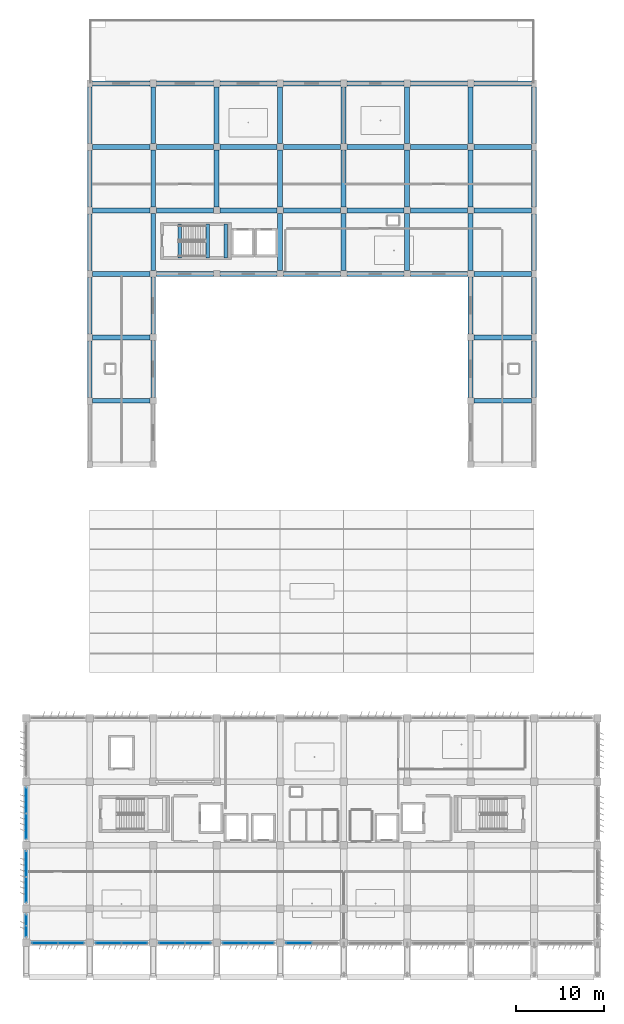
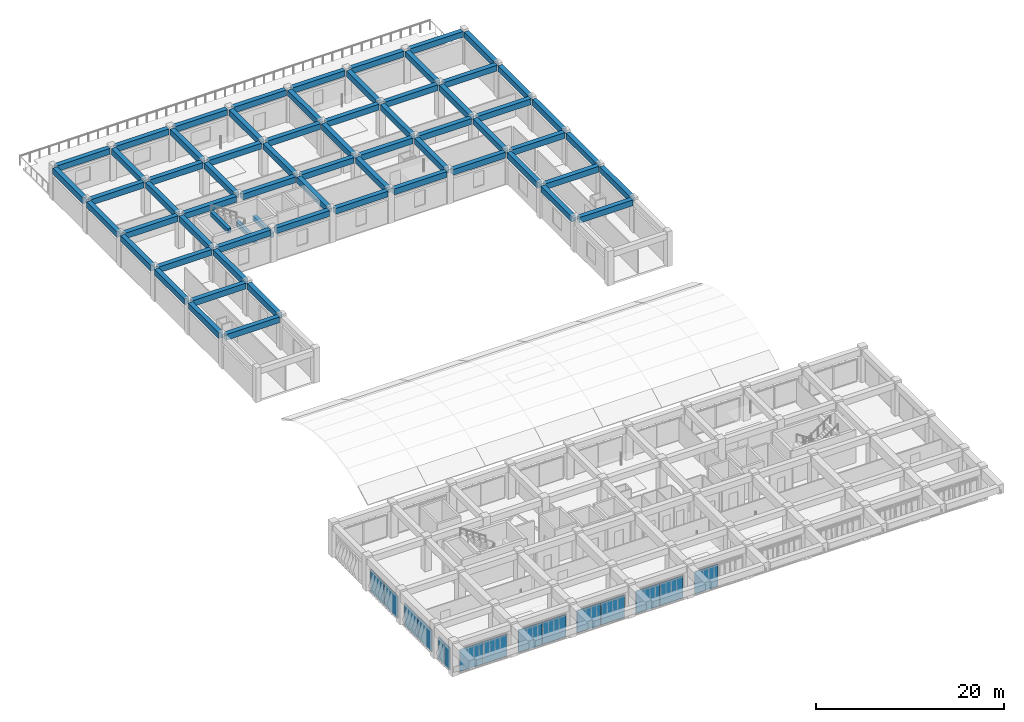
# One storey, part 31 of 56: 66 beams, 15 plates, 8 elements without a shape of their own.
"""IFC4 building model written with IfcOpenShell, lengths in metres."""

from ifc_helpers import new_model, si_unit, direction, frame, origin, origin_2d, place, context, subcontext, project, spatial, rectangle, extrude, material, layer, layer_set, material_profile, profile_set, type_object, element, aggregate, save


model = new_model("IFC4")

# Units and contexts
model_context = context("Model", 3, precision=1e-05, world=origin(), true_north=direction((0.0, 1.0)))
body_context = subcontext(model_context, "Body", "Model", "MODEL_VIEW")
ifc_project = project(units=[si_unit("LENGTHUNIT", "METRE"), si_unit("AREAUNIT", "SQUARE_METRE"), si_unit("VOLUMEUNIT", "CUBIC_METRE"), si_unit("PLANEANGLEUNIT", "RADIAN"), si_unit("MASSUNIT", "GRAM", prefix="KILO")], contexts=[model_context])

# Site, building, storey
site_placement = place(None, origin())
site = spatial("IfcSite", under=ifc_project, at=site_placement, CompositionType="ELEMENT")
building_placement = place(site_placement, origin())
building = spatial("IfcBuilding", under=site, at=building_placement, Name="Kazehaya Institute of Natural Sciences", CompositionType="ELEMENT")
storey_placement = place(building_placement, frame((0.0, 0.0, 24.300048828125)))
storey = spatial("IfcBuildingStorey", under=building, at=storey_placement, Name="L05", CompositionType="ELEMENT", Elevation=24.300048828125)

# Beams
ifc_material_1 = material(Name="Concrete Fc36", Category="concrete")
ifc_material_profile_1 = material_profile(ifc_material_1, rectangle(XDim=0.39990234375, YDim=0.60009765625, at=origin_2d()), Name="RC-400x600")
ifc_profile_set_1 = profile_set([ifc_material_profile_1], Name="Concrete Fc36")
beam_type_1 = type_object("IfcBeamType", Name="BM-B-400x600", PredefinedType="BEAM", material=ifc_profile_set_1)
for number, where, z_axis, x_axis, name in (
    (1, (72.0, 87.820068359375, 4.199951171875), (0.0, 1.0, 0.0), (-1.0, 0.0, 0.0), "L06 ST-3 stair header trimmer beam"),
    (2, (75.18994140625, 87.820068359375, 1.7900390625), (0.0, 1.0, 0.0), (-1.0, 0.0, 0.0), "L05 ST-3 landing beam 1"),
    (3, (77.25, 87.820068359375, 1.7900390625), (0.0, 1.0, 0.0), (-1.0, 0.0, 0.0), "L05 ST-3 landing beam 2"),
):
    element("IfcBeam", number, at=place(storey_placement, frame(where, z_axis=z_axis, x_axis=x_axis)), inside=storey, type_object=beam_type_1, Name=name, PredefinedType="BEAM", context=body_context, shape_type="SweptSolid", body=[
        extrude(rectangle(XDim=0.39990234375, YDim=0.60009765625, at=origin_2d()), origin(), (0.0, 0.0, 1.0), 3.83984375),
    ])
ifc_material_profile_2 = material_profile(ifc_material_1, rectangle(XDim=0.550048828125, YDim=0.75, at=origin_2d()), Name="RC-550x750")
ifc_profile_set_2 = profile_set([ifc_material_profile_2], Name="Concrete Fc36")
beam_type_2 = type_object("IfcBeamType", Name="BM-G-550x750", PredefinedType="BEAM", material=ifc_profile_set_2)
for number, where, z_axis, x_axis, name in (
    (4, (62.10009765625, 71.60009765625, 3.85498046875), (1.0, 0.0, 0.0), (0.0, 1.0, 0.0), "L05 primary X girder BMX-L05-618-716"),
    (5, (105.375, 71.60009765625, 3.85498046875), (1.0, 0.0, 0.0), (0.0, 1.0, 0.0), "L05 primary X girder BMX-L05-1050-716"),
    (6, (62.10009765625, 78.800048828125, 3.85498046875), (1.0, 0.0, 0.0), (0.0, 1.0, 0.0), "L05 primary X girder BMX-L05-618-788"),
    (7, (105.375, 78.800048828125, 3.85498046875), (1.0, 0.0, 0.0), (0.0, 1.0, 0.0), "L05 primary X girder BMX-L05-1050-788"),
    (8, (62.10009765625, 86.0, 3.85498046875), (1.0, 0.0, 0.0), (0.0, 1.0, 0.0), "L05 primary X girder BMX-L05-618-860"),
):
    element("IfcBeam", number, at=place(storey_placement, frame(where, z_axis=z_axis, x_axis=x_axis)), inside=storey, type_object=beam_type_2, Name=name, PredefinedType="BEAM", context=body_context, shape_type="SweptSolid", body=[
        extrude(rectangle(XDim=0.550048828125, YDim=0.75, at=origin_2d()), origin(), (0.0, 0.0, 1.0), 6.52490234375),
    ])
for number, where, z_axis, x_axis, name in (
    (9, (69.375, 86.0, 3.85498046875), (1.0, 0.0, 0.0), (0.0, 1.0, 0.0), "L05 primary X girder BMX-L05-690-860"),
    (10, (76.574951171875, 86.0, 3.85498046875), (1.0, 0.0, 0.0), (0.0, 1.0, 0.0), "L05 primary X girder BMX-L05-762-860"),
):
    element("IfcBeam", number, at=place(storey_placement, frame(where, z_axis=z_axis, x_axis=x_axis)), inside=storey, type_object=beam_type_2, Name=name, PredefinedType="BEAM", context=body_context, shape_type="SweptSolid", body=[
        extrude(rectangle(XDim=0.550048828125, YDim=0.75, at=origin_2d()), origin(), (0.0, 0.0, 1.0), 6.449951171875),
    ])
beam_1_placement = place(storey_placement, frame((83.77490234375, 86.0, 3.85498046875), z_axis=(1.0, 0.0, 0.0), x_axis=(0.0, 1.0, 0.0)))
element("IfcBeam", 11, at=beam_1_placement, inside=storey, type_object=beam_type_2, Name="L05 primary X girder BMX-L05-834-860", PredefinedType="BEAM", context=body_context, shape_type="SweptSolid", body=[
    extrude(rectangle(XDim=0.550048828125, YDim=0.75, at=origin_2d()), origin(), (0.0, 0.0, 1.0), 6.4501953125),
])
for number, where, z_axis, x_axis, name in (
    (12, (90.97509765625, 86.0, 3.85498046875), (1.0, 0.0, 0.0), (0.0, 1.0, 0.0), "L05 primary X girder BMX-L05-906-860"),
    (13, (98.175048828125, 86.0, 3.85498046875), (1.0, 0.0, 0.0), (0.0, 1.0, 0.0), "L05 primary X girder BMX-L05-978-860"),
):
    element("IfcBeam", number, at=place(storey_placement, frame(where, z_axis=z_axis, x_axis=x_axis)), inside=storey, type_object=beam_type_2, Name=name, PredefinedType="BEAM", context=body_context, shape_type="SweptSolid", body=[
        extrude(rectangle(XDim=0.550048828125, YDim=0.75, at=origin_2d()), origin(), (0.0, 0.0, 1.0), 6.449951171875),
    ])
for number, where, z_axis, x_axis, name in (
    (14, (105.375, 86.0, 3.85498046875), (1.0, 0.0, 0.0), (0.0, 1.0, 0.0), "L05 primary X girder BMX-L05-1050-860"),
    (15, (62.10009765625, 93.199951171875, 3.85498046875), (1.0, 0.0, 0.0), (0.0, 1.0, 0.0), "L05 primary X girder BMX-L05-618-932"),
):
    element("IfcBeam", number, at=place(storey_placement, frame(where, z_axis=z_axis, x_axis=x_axis)), inside=storey, type_object=beam_type_2, Name=name, PredefinedType="BEAM", context=body_context, shape_type="SweptSolid", body=[
        extrude(rectangle(XDim=0.550048828125, YDim=0.75, at=origin_2d()), origin(), (0.0, 0.0, 1.0), 6.52490234375),
    ])
for number, where, z_axis, x_axis, name in (
    (16, (69.375, 93.199951171875, 3.85498046875), (1.0, 0.0, 0.0), (0.0, 1.0, 0.0), "L05 primary X girder BMX-L05-690-932"),
    (17, (76.574951171875, 93.199951171875, 3.85498046875), (1.0, 0.0, 0.0), (0.0, 1.0, 0.0), "L05 primary X girder BMX-L05-762-932"),
):
    element("IfcBeam", number, at=place(storey_placement, frame(where, z_axis=z_axis, x_axis=x_axis)), inside=storey, type_object=beam_type_2, Name=name, PredefinedType="BEAM", context=body_context, shape_type="SweptSolid", body=[
        extrude(rectangle(XDim=0.550048828125, YDim=0.75, at=origin_2d()), origin(), (0.0, 0.0, 1.0), 6.449951171875),
    ])
beam_2_placement = place(storey_placement, frame((83.77490234375, 93.199951171875, 3.85498046875), z_axis=(1.0, 0.0, 0.0), x_axis=(0.0, 1.0, 0.0)))
element("IfcBeam", 18, at=beam_2_placement, inside=storey, type_object=beam_type_2, Name="L05 primary X girder BMX-L05-834-932", PredefinedType="BEAM", context=body_context, shape_type="SweptSolid", body=[
    extrude(rectangle(XDim=0.550048828125, YDim=0.75, at=origin_2d()), origin(), (0.0, 0.0, 1.0), 6.4501953125),
])
for number, where, z_axis, x_axis, name in (
    (19, (90.97509765625, 93.199951171875, 3.85498046875), (1.0, 0.0, 0.0), (0.0, 1.0, 0.0), "L05 primary X girder BMX-L05-906-932"),
    (20, (98.175048828125, 93.199951171875, 3.85498046875), (1.0, 0.0, 0.0), (0.0, 1.0, 0.0), "L05 primary X girder BMX-L05-978-932"),
):
    element("IfcBeam", number, at=place(storey_placement, frame(where, z_axis=z_axis, x_axis=x_axis)), inside=storey, type_object=beam_type_2, Name=name, PredefinedType="BEAM", context=body_context, shape_type="SweptSolid", body=[
        extrude(rectangle(XDim=0.550048828125, YDim=0.75, at=origin_2d()), origin(), (0.0, 0.0, 1.0), 6.449951171875),
    ])
for number, where, z_axis, x_axis, name in (
    (21, (105.375, 93.199951171875, 3.85498046875), (1.0, 0.0, 0.0), (0.0, 1.0, 0.0), "L05 primary X girder BMX-L05-1050-932"),
    (22, (62.10009765625, 100.39990234375, 3.85498046875), (1.0, 0.0, 0.0), (0.0, 1.0, 0.0), "L05 primary X girder BMX-L05-618-1004"),
):
    element("IfcBeam", number, at=place(storey_placement, frame(where, z_axis=z_axis, x_axis=x_axis)), inside=storey, type_object=beam_type_2, Name=name, PredefinedType="BEAM", context=body_context, shape_type="SweptSolid", body=[
        extrude(rectangle(XDim=0.550048828125, YDim=0.75, at=origin_2d()), origin(), (0.0, 0.0, 1.0), 6.52490234375),
    ])
for number, where, z_axis, x_axis, name in (
    (23, (69.375, 100.39990234375, 3.85498046875), (1.0, 0.0, 0.0), (0.0, 1.0, 0.0), "L05 primary X girder BMX-L05-690-1004"),
    (24, (76.574951171875, 100.39990234375, 3.85498046875), (1.0, 0.0, 0.0), (0.0, 1.0, 0.0), "L05 primary X girder BMX-L05-762-1004"),
):
    element("IfcBeam", number, at=place(storey_placement, frame(where, z_axis=z_axis, x_axis=x_axis)), inside=storey, type_object=beam_type_2, Name=name, PredefinedType="BEAM", context=body_context, shape_type="SweptSolid", body=[
        extrude(rectangle(XDim=0.550048828125, YDim=0.75, at=origin_2d()), origin(), (0.0, 0.0, 1.0), 6.449951171875),
    ])
beam_3_placement = place(storey_placement, frame((83.77490234375, 100.39990234375, 3.85498046875), z_axis=(1.0, 0.0, 0.0), x_axis=(0.0, 1.0, 0.0)))
element("IfcBeam", 25, at=beam_3_placement, inside=storey, type_object=beam_type_2, Name="L05 primary X girder BMX-L05-834-1004", PredefinedType="BEAM", context=body_context, shape_type="SweptSolid", body=[
    extrude(rectangle(XDim=0.550048828125, YDim=0.75, at=origin_2d()), origin(), (0.0, 0.0, 1.0), 6.4501953125),
])
for number, where, z_axis, x_axis, name in (
    (26, (90.97509765625, 100.39990234375, 3.85498046875), (1.0, 0.0, 0.0), (0.0, 1.0, 0.0), "L05 primary X girder BMX-L05-906-1004"),
    (27, (98.175048828125, 100.39990234375, 3.85498046875), (1.0, 0.0, 0.0), (0.0, 1.0, 0.0), "L05 primary X girder BMX-L05-978-1004"),
):
    element("IfcBeam", number, at=place(storey_placement, frame(where, z_axis=z_axis, x_axis=x_axis)), inside=storey, type_object=beam_type_2, Name=name, PredefinedType="BEAM", context=body_context, shape_type="SweptSolid", body=[
        extrude(rectangle(XDim=0.550048828125, YDim=0.75, at=origin_2d()), origin(), (0.0, 0.0, 1.0), 6.449951171875),
    ])
for number, where, z_axis, x_axis, name in (
    (28, (105.375, 100.39990234375, 3.85498046875), (1.0, 0.0, 0.0), (0.0, 1.0, 0.0), "L05 primary X girder BMX-L05-1050-1004"),
    (29, (62.10009765625, 107.60009765625, 3.85498046875), (1.0, 0.0, 0.0), (0.0, 1.0, 0.0), "L05 primary X girder BMX-L05-618-1076"),
):
    element("IfcBeam", number, at=place(storey_placement, frame(where, z_axis=z_axis, x_axis=x_axis)), inside=storey, type_object=beam_type_2, Name=name, PredefinedType="BEAM", context=body_context, shape_type="SweptSolid", body=[
        extrude(rectangle(XDim=0.550048828125, YDim=0.75, at=origin_2d()), origin(), (0.0, 0.0, 1.0), 6.52490234375),
    ])
for number, where, z_axis, x_axis, name in (
    (30, (69.375, 107.60009765625, 3.85498046875), (1.0, 0.0, 0.0), (0.0, 1.0, 0.0), "L05 primary X girder BMX-L05-690-1076"),
    (31, (76.574951171875, 107.60009765625, 3.85498046875), (1.0, 0.0, 0.0), (0.0, 1.0, 0.0), "L05 primary X girder BMX-L05-762-1076"),
):
    element("IfcBeam", number, at=place(storey_placement, frame(where, z_axis=z_axis, x_axis=x_axis)), inside=storey, type_object=beam_type_2, Name=name, PredefinedType="BEAM", context=body_context, shape_type="SweptSolid", body=[
        extrude(rectangle(XDim=0.550048828125, YDim=0.75, at=origin_2d()), origin(), (0.0, 0.0, 1.0), 6.449951171875),
    ])
beam_4_placement = place(storey_placement, frame((83.77490234375, 107.60009765625, 3.85498046875), z_axis=(1.0, 0.0, 0.0), x_axis=(0.0, 1.0, 0.0)))
element("IfcBeam", 32, at=beam_4_placement, inside=storey, type_object=beam_type_2, Name="L05 primary X girder BMX-L05-834-1076", PredefinedType="BEAM", context=body_context, shape_type="SweptSolid", body=[
    extrude(rectangle(XDim=0.550048828125, YDim=0.75, at=origin_2d()), origin(), (0.0, 0.0, 1.0), 6.4501953125),
])
for number, where, z_axis, x_axis, name in (
    (33, (90.97509765625, 107.60009765625, 3.85498046875), (1.0, 0.0, 0.0), (0.0, 1.0, 0.0), "L05 primary X girder BMX-L05-906-1076"),
    (34, (98.175048828125, 107.60009765625, 3.85498046875), (1.0, 0.0, 0.0), (0.0, 1.0, 0.0), "L05 primary X girder BMX-L05-978-1076"),
):
    element("IfcBeam", number, at=place(storey_placement, frame(where, z_axis=z_axis, x_axis=x_axis)), inside=storey, type_object=beam_type_2, Name=name, PredefinedType="BEAM", context=body_context, shape_type="SweptSolid", body=[
        extrude(rectangle(XDim=0.550048828125, YDim=0.75, at=origin_2d()), origin(), (0.0, 0.0, 1.0), 6.449951171875),
    ])
beam_5_placement = place(storey_placement, frame((105.375, 107.60009765625, 3.85498046875), z_axis=(1.0, 0.0, 0.0), x_axis=(0.0, 1.0, 0.0)))
element("IfcBeam", 35, at=beam_5_placement, inside=storey, type_object=beam_type_2, Name="L05 primary X girder BMX-L05-1050-1076", PredefinedType="BEAM", context=body_context, shape_type="SweptSolid", body=[
    extrude(rectangle(XDim=0.550048828125, YDim=0.75, at=origin_2d()), origin(), (0.0, 0.0, 1.0), 6.52490234375),
])
beam_6_placement = place(storey_placement, frame((61.800048828125, 72.0, 3.85498046875), z_axis=(0.0, 1.0, 0.0), x_axis=(-1.0, 0.0, 0.0)))
element("IfcBeam", 36, at=beam_6_placement, inside=storey, type_object=beam_type_2, Name="L05 primary Y girder BMY-L05-618-716", PredefinedType="BEAM", context=body_context, shape_type="SweptSolid", body=[
    extrude(rectangle(XDim=0.550048828125, YDim=0.75, at=origin_2d()), origin(), (0.0, 0.0, 1.0), 6.39990234375),
])
for number, where, z_axis, x_axis, name in (
    (37, (61.800048828125, 79.199951171875, 3.85498046875), (0.0, 1.0, 0.0), (-1.0, 0.0, 0.0), "L05 primary Y girder BMY-L05-618-788"),
    (38, (61.800048828125, 86.39990234375, 3.85498046875), (0.0, 1.0, 0.0), (-1.0, 0.0, 0.0), "L05 primary Y girder BMY-L05-618-860"),
):
    element("IfcBeam", number, at=place(storey_placement, frame(where, z_axis=z_axis, x_axis=x_axis)), inside=storey, type_object=beam_type_2, Name=name, PredefinedType="BEAM", context=body_context, shape_type="SweptSolid", body=[
        extrude(rectangle(XDim=0.550048828125, YDim=0.75, at=origin_2d()), origin(), (0.0, 0.0, 1.0), 6.400146484375),
    ])
for number, where, z_axis, x_axis, name in (
    (39, (61.800048828125, 93.60009765625, 3.85498046875), (0.0, 1.0, 0.0), (-1.0, 0.0, 0.0), "L05 primary Y girder BMY-L05-618-932"),
    (40, (61.800048828125, 100.800048828125, 3.85498046875), (0.0, 1.0, 0.0), (-1.0, 0.0, 0.0), "L05 primary Y girder BMY-L05-618-1004"),
):
    element("IfcBeam", number, at=place(storey_placement, frame(where, z_axis=z_axis, x_axis=x_axis)), inside=storey, type_object=beam_type_2, Name=name, PredefinedType="BEAM", context=body_context, shape_type="SweptSolid", body=[
        extrude(rectangle(XDim=0.550048828125, YDim=0.75, at=origin_2d()), origin(), (0.0, 0.0, 1.0), 6.39990234375),
    ])
for number, where, z_axis, x_axis, name in (
    (41, (69.0, 71.97509765625, 3.85498046875), (0.0, 1.0, 0.0), (-1.0, 0.0, 0.0), "L05 primary Y girder BMY-L05-690-716"),
    (42, (69.0, 79.175048828125, 3.85498046875), (0.0, 1.0, 0.0), (-1.0, 0.0, 0.0), "L05 primary Y girder BMY-L05-690-788"),
    (43, (69.0, 86.375, 3.85498046875), (0.0, 1.0, 0.0), (-1.0, 0.0, 0.0), "L05 primary Y girder BMY-L05-690-860"),
    (44, (69.0, 93.574951171875, 3.85498046875), (0.0, 1.0, 0.0), (-1.0, 0.0, 0.0), "L05 primary Y girder BMY-L05-690-932"),
):
    element("IfcBeam", number, at=place(storey_placement, frame(where, z_axis=z_axis, x_axis=x_axis)), inside=storey, type_object=beam_type_2, Name=name, PredefinedType="BEAM", context=body_context, shape_type="SweptSolid", body=[
        extrude(rectangle(XDim=0.550048828125, YDim=0.75, at=origin_2d()), origin(), (0.0, 0.0, 1.0), 6.449951171875),
    ])
beam_7_placement = place(storey_placement, frame((69.0, 100.77490234375, 3.85498046875), z_axis=(0.0, 1.0, 0.0), x_axis=(-1.0, 0.0, 0.0)))
element("IfcBeam", 45, at=beam_7_placement, inside=storey, type_object=beam_type_2, Name="L05 primary Y girder BMY-L05-690-1004", PredefinedType="BEAM", context=body_context, shape_type="SweptSolid", body=[
    extrude(rectangle(XDim=0.550048828125, YDim=0.75, at=origin_2d()), origin(), (0.0, 0.0, 1.0), 6.4501953125),
])
beam_8_placement = place(storey_placement, frame((76.199951171875, 93.574951171875, 3.85498046875), z_axis=(0.0, 1.0, 0.0), x_axis=(-1.0, 0.0, 0.0)))
element("IfcBeam", 46, at=beam_8_placement, inside=storey, type_object=beam_type_2, Name="L05 primary Y girder BMY-L05-762-932", PredefinedType="BEAM", context=body_context, shape_type="SweptSolid", body=[
    extrude(rectangle(XDim=0.550048828125, YDim=0.75, at=origin_2d()), origin(), (0.0, 0.0, 1.0), 6.449951171875),
])
beam_9_placement = place(storey_placement, frame((76.199951171875, 100.77490234375, 3.85498046875), z_axis=(0.0, 1.0, 0.0), x_axis=(-1.0, 0.0, 0.0)))
element("IfcBeam", 47, at=beam_9_placement, inside=storey, type_object=beam_type_2, Name="L05 primary Y girder BMY-L05-762-1004", PredefinedType="BEAM", context=body_context, shape_type="SweptSolid", body=[
    extrude(rectangle(XDim=0.550048828125, YDim=0.75, at=origin_2d()), origin(), (0.0, 0.0, 1.0), 6.4501953125),
])
for number, where, z_axis, x_axis, name in (
    (48, (83.39990234375, 86.375, 3.85498046875), (0.0, 1.0, 0.0), (-1.0, 0.0, 0.0), "L05 primary Y girder BMY-L05-834-860"),
    (49, (83.39990234375, 93.574951171875, 3.85498046875), (0.0, 1.0, 0.0), (-1.0, 0.0, 0.0), "L05 primary Y girder BMY-L05-834-932"),
):
    element("IfcBeam", number, at=place(storey_placement, frame(where, z_axis=z_axis, x_axis=x_axis)), inside=storey, type_object=beam_type_2, Name=name, PredefinedType="BEAM", context=body_context, shape_type="SweptSolid", body=[
        extrude(rectangle(XDim=0.550048828125, YDim=0.75, at=origin_2d()), origin(), (0.0, 0.0, 1.0), 6.449951171875),
    ])
beam_10_placement = place(storey_placement, frame((83.39990234375, 100.77490234375, 3.85498046875), z_axis=(0.0, 1.0, 0.0), x_axis=(-1.0, 0.0, 0.0)))
element("IfcBeam", 50, at=beam_10_placement, inside=storey, type_object=beam_type_2, Name="L05 primary Y girder BMY-L05-834-1004", PredefinedType="BEAM", context=body_context, shape_type="SweptSolid", body=[
    extrude(rectangle(XDim=0.550048828125, YDim=0.75, at=origin_2d()), origin(), (0.0, 0.0, 1.0), 6.4501953125),
])
for number, where, z_axis, x_axis, name in (
    (51, (90.60009765625, 86.375, 3.85498046875), (0.0, 1.0, 0.0), (-1.0, 0.0, 0.0), "L05 primary Y girder BMY-L05-906-860"),
    (52, (90.60009765625, 93.574951171875, 3.85498046875), (0.0, 1.0, 0.0), (-1.0, 0.0, 0.0), "L05 primary Y girder BMY-L05-906-932"),
):
    element("IfcBeam", number, at=place(storey_placement, frame(where, z_axis=z_axis, x_axis=x_axis)), inside=storey, type_object=beam_type_2, Name=name, PredefinedType="BEAM", context=body_context, shape_type="SweptSolid", body=[
        extrude(rectangle(XDim=0.550048828125, YDim=0.75, at=origin_2d()), origin(), (0.0, 0.0, 1.0), 6.449951171875),
    ])
beam_11_placement = place(storey_placement, frame((90.60009765625, 100.77490234375, 3.85498046875), z_axis=(0.0, 1.0, 0.0), x_axis=(-1.0, 0.0, 0.0)))
element("IfcBeam", 53, at=beam_11_placement, inside=storey, type_object=beam_type_2, Name="L05 primary Y girder BMY-L05-906-1004", PredefinedType="BEAM", context=body_context, shape_type="SweptSolid", body=[
    extrude(rectangle(XDim=0.550048828125, YDim=0.75, at=origin_2d()), origin(), (0.0, 0.0, 1.0), 6.4501953125),
])
for number, where, z_axis, x_axis, name in (
    (54, (97.800048828125, 86.375, 3.85498046875), (0.0, 1.0, 0.0), (-1.0, 0.0, 0.0), "L05 primary Y girder BMY-L05-978-860"),
    (55, (97.800048828125, 93.574951171875, 3.85498046875), (0.0, 1.0, 0.0), (-1.0, 0.0, 0.0), "L05 primary Y girder BMY-L05-978-932"),
):
    element("IfcBeam", number, at=place(storey_placement, frame(where, z_axis=z_axis, x_axis=x_axis)), inside=storey, type_object=beam_type_2, Name=name, PredefinedType="BEAM", context=body_context, shape_type="SweptSolid", body=[
        extrude(rectangle(XDim=0.550048828125, YDim=0.75, at=origin_2d()), origin(), (0.0, 0.0, 1.0), 6.449951171875),
    ])
beam_12_placement = place(storey_placement, frame((97.800048828125, 100.77490234375, 3.85498046875), z_axis=(0.0, 1.0, 0.0), x_axis=(-1.0, 0.0, 0.0)))
element("IfcBeam", 56, at=beam_12_placement, inside=storey, type_object=beam_type_2, Name="L05 primary Y girder BMY-L05-978-1004", PredefinedType="BEAM", context=body_context, shape_type="SweptSolid", body=[
    extrude(rectangle(XDim=0.550048828125, YDim=0.75, at=origin_2d()), origin(), (0.0, 0.0, 1.0), 6.4501953125),
])
for number, where, z_axis, x_axis, name in (
    (57, (105.0, 71.97509765625, 3.85498046875), (0.0, 1.0, 0.0), (-1.0, 0.0, 0.0), "L05 primary Y girder BMY-L05-1050-716"),
    (58, (105.0, 79.175048828125, 3.85498046875), (0.0, 1.0, 0.0), (-1.0, 0.0, 0.0), "L05 primary Y girder BMY-L05-1050-788"),
    (59, (105.0, 86.375, 3.85498046875), (0.0, 1.0, 0.0), (-1.0, 0.0, 0.0), "L05 primary Y girder BMY-L05-1050-860"),
    (60, (105.0, 93.574951171875, 3.85498046875), (0.0, 1.0, 0.0), (-1.0, 0.0, 0.0), "L05 primary Y girder BMY-L05-1050-932"),
):
    element("IfcBeam", number, at=place(storey_placement, frame(where, z_axis=z_axis, x_axis=x_axis)), inside=storey, type_object=beam_type_2, Name=name, PredefinedType="BEAM", context=body_context, shape_type="SweptSolid", body=[
        extrude(rectangle(XDim=0.550048828125, YDim=0.75, at=origin_2d()), origin(), (0.0, 0.0, 1.0), 6.449951171875),
    ])
beam_13_placement = place(storey_placement, frame((105.0, 100.77490234375, 3.85498046875), z_axis=(0.0, 1.0, 0.0), x_axis=(-1.0, 0.0, 0.0)))
element("IfcBeam", 61, at=beam_13_placement, inside=storey, type_object=beam_type_2, Name="L05 primary Y girder BMY-L05-1050-1004", PredefinedType="BEAM", context=body_context, shape_type="SweptSolid", body=[
    extrude(rectangle(XDim=0.550048828125, YDim=0.75, at=origin_2d()), origin(), (0.0, 0.0, 1.0), 6.4501953125),
])
beam_14_placement = place(storey_placement, frame((112.199951171875, 72.0, 3.85498046875), z_axis=(0.0, 1.0, 0.0), x_axis=(-1.0, 0.0, 0.0)))
element("IfcBeam", 62, at=beam_14_placement, inside=storey, type_object=beam_type_2, Name="L05 primary Y girder BMY-L05-1122-716", PredefinedType="BEAM", context=body_context, shape_type="SweptSolid", body=[
    extrude(rectangle(XDim=0.550048828125, YDim=0.75, at=origin_2d()), origin(), (0.0, 0.0, 1.0), 6.39990234375),
])
for number, where, z_axis, x_axis, name in (
    (63, (112.199951171875, 79.199951171875, 3.85498046875), (0.0, 1.0, 0.0), (-1.0, 0.0, 0.0), "L05 primary Y girder BMY-L05-1122-788"),
    (64, (112.199951171875, 86.39990234375, 3.85498046875), (0.0, 1.0, 0.0), (-1.0, 0.0, 0.0), "L05 primary Y girder BMY-L05-1122-860"),
):
    element("IfcBeam", number, at=place(storey_placement, frame(where, z_axis=z_axis, x_axis=x_axis)), inside=storey, type_object=beam_type_2, Name=name, PredefinedType="BEAM", context=body_context, shape_type="SweptSolid", body=[
        extrude(rectangle(XDim=0.550048828125, YDim=0.75, at=origin_2d()), origin(), (0.0, 0.0, 1.0), 6.400146484375),
    ])
for number, where, z_axis, x_axis, name in (
    (65, (112.199951171875, 93.60009765625, 3.85498046875), (0.0, 1.0, 0.0), (-1.0, 0.0, 0.0), "L05 primary Y girder BMY-L05-1122-932"),
    (66, (112.199951171875, 100.800048828125, 3.85498046875), (0.0, 1.0, 0.0), (-1.0, 0.0, 0.0), "L05 primary Y girder BMY-L05-1122-1004"),
):
    element("IfcBeam", number, at=place(storey_placement, frame(where, z_axis=z_axis, x_axis=x_axis)), inside=storey, type_object=beam_type_2, Name=name, PredefinedType="BEAM", context=body_context, shape_type="SweptSolid", body=[
        extrude(rectangle(XDim=0.550048828125, YDim=0.75, at=origin_2d()), origin(), (0.0, 0.0, 1.0), 6.39990234375),
    ])

# Curtain wall, plates
ifc_material_2 = material(Name="Aluminium alloy A6063S-T5", Category="aluminium")
curtain_wall_type_1 = type_object("IfcCurtainWallType", Name="CW-SYS-04", PredefinedType="NOTDEFINED", material=ifc_material_2)
curtain_wall_1_placement = place(storey_placement, origin())
curtain_wall_1 = element("IfcCurtainWall", 67, at=curtain_wall_1_placement, inside=storey, type_object=curtain_wall_type_1, Name="L05 unitised curtain wall CW-L05-102", PredefinedType="NOTDEFINED")
ifc_material_3 = material(Name="Low-E double-glazed vision glass", Category="glass")
ifc_layer_1 = layer(ifc_material_3, 0.030029296875, Name="Low-E double-glazed vision glass", Category="glass")
ifc_layer_set_1 = layer_set([ifc_layer_1], Name="Low-E double-glazed vision glass")
plate_type_1 = type_object("IfcPlateType", Name="CWP-01", PredefinedType="CURTAIN_PANEL", material=ifc_layer_set_1)
plate_1_placement = place(storey_placement, frame((59.6650390625, 10.10009765625, 0.06005859375), z_axis=(0.0, 0.0, 1.0), x_axis=(-1.0, 0.0, 0.0)))
plate_1 = element("IfcPlate", 68, at=plate_1_placement, type_object=plate_type_1, Name="CW04 panel 1.1", PredefinedType="CURTAIN_PANEL", context=body_context, shape_type="SweptSolid", body=[
    extrude(rectangle(XDim=2.8701171875, YDim=0.030029296875, at=origin_2d()), origin(), (0.0, 0.0, 1.0), 2.8798828125),
])
plate_2_placement = place(storey_placement, frame((56.735107421875, 10.10009765625, 0.06005859375), z_axis=(0.0, 0.0, 1.0), x_axis=(-1.0, 0.0, 0.0)))
plate_2 = element("IfcPlate", 69, at=plate_2_placement, type_object=plate_type_1, Name="CW04 panel 2.1", PredefinedType="CURTAIN_PANEL", context=body_context, shape_type="SweptSolid", body=[
    extrude(rectangle(XDim=2.8701171875, YDim=0.030029296875, at=origin_2d()), origin(), (0.0, 0.0, 1.0), 2.8798828125),
])
aggregate(curtain_wall_1, [plate_1, plate_2])

# Curtain wall, plate
curtain_wall_2_placement = place(storey_placement, origin())
curtain_wall_2 = element("IfcCurtainWall", 70, at=curtain_wall_2_placement, inside=storey, type_object=curtain_wall_type_1, Name="L05 unitised curtain wall CW-L05-098", PredefinedType="NOTDEFINED")
ifc_material_4 = material(Name="Insulated bronze aluminium spandrel panel", Category="aluminium")
ifc_layer_2 = layer(ifc_material_4, 0.070068359375, Name="Insulated bronze aluminium spandrel panel", Category="aluminium")
ifc_layer_set_2 = layer_set([ifc_layer_2], Name="Insulated bronze aluminium spandrel panel")
plate_type_2 = type_object("IfcPlateType", Name="CWP-05", PredefinedType="CURTAIN_PANEL", material=ifc_layer_set_2)
plate_3_placement = place(storey_placement, frame((85.534912109375, 10.10009765625, 0.06005859375), z_axis=(0.0, 0.0, 1.0), x_axis=(-1.0, 0.0, 0.0)))
plate_3 = element("IfcPlate", 71, at=plate_3_placement, type_object=plate_type_2, Name="CW04 panel 2.1", PredefinedType="CURTAIN_PANEL", context=body_context, shape_type="SweptSolid", body=[
    extrude(rectangle(XDim=2.8701171875, YDim=0.070068359375, at=origin_2d()), origin(), (0.0, 0.0, 1.0), 2.8798828125),
])
aggregate(curtain_wall_2, [plate_3])

# Curtain wall, plates
curtain_wall_type_2 = type_object("IfcCurtainWallType", Name="CW-SYS-08", PredefinedType="NOTDEFINED", material=ifc_material_2)
curtain_wall_3_placement = place(storey_placement, origin())
curtain_wall_3 = element("IfcCurtainWall", 72, at=curtain_wall_3_placement, inside=storey, type_object=curtain_wall_type_2, Name="L05 unitised curtain wall CW-L05-112", PredefinedType="NOTDEFINED")
plate_4_placement = place(storey_placement, frame((54.60009765625, 11.409912109375, 0.06005859375), z_axis=(0.0, 0.0, 1.0), x_axis=(0.0, 1.0, 0.0)))
plate_4 = element("IfcPlate", 73, at=plate_4_placement, type_object=plate_type_2, Name="CW08 panel 1.1", PredefinedType="CURTAIN_PANEL", context=body_context, shape_type="SweptSolid", body=[
    extrude(rectangle(XDim=1.219970703125, YDim=0.070068359375, at=origin_2d()), origin(), (0.0, 0.0, 1.0), 2.8798828125),
])
plate_5_placement = place(storey_placement, frame((54.60009765625, 12.68994140625, 0.06005859375), z_axis=(0.0, 0.0, 1.0), x_axis=(0.0, 1.0, 0.0)))
plate_5 = element("IfcPlate", 74, at=plate_5_placement, type_object=plate_type_2, Name="CW08 panel 2.1", PredefinedType="CURTAIN_PANEL", context=body_context, shape_type="SweptSolid", body=[
    extrude(rectangle(XDim=1.219970703125, YDim=0.070068359375, at=origin_2d()), origin(), (0.0, 0.0, 1.0), 2.8798828125),
])
aggregate(curtain_wall_3, [plate_4, plate_5])

curtain_wall_type_3 = type_object("IfcCurtainWallType", Name="CW-SYS-10", PredefinedType="NOTDEFINED", material=ifc_material_2)
curtain_wall_4_placement = place(storey_placement, origin())
curtain_wall_4 = element("IfcCurtainWall", 75, at=curtain_wall_4_placement, inside=storey, type_object=curtain_wall_type_3, Name="L05 unitised curtain wall CW-L05-114", PredefinedType="NOTDEFINED")
plate_6_placement = place(storey_placement, frame((54.60009765625, 16.135009765625, 0.06005859375), z_axis=(0.0, 0.0, 1.0), x_axis=(0.0, 1.0, 0.0)))
plate_6 = element("IfcPlate", 76, at=plate_6_placement, type_object=plate_type_2, Name="CW10 panel 1.1", PredefinedType="CURTAIN_PANEL", context=body_context, shape_type="SweptSolid", body=[
    extrude(rectangle(XDim=2.8701171875, YDim=0.070068359375, at=origin_2d()), origin(), (0.0, 0.0, 1.0), 2.8798828125),
])
plate_7_placement = place(storey_placement, frame((54.60009765625, 19.06494140625, 0.06005859375), z_axis=(0.0, 0.0, 1.0), x_axis=(0.0, 1.0, 0.0)))
plate_7 = element("IfcPlate", 77, at=plate_7_placement, type_object=plate_type_2, Name="CW10 panel 2.1", PredefinedType="CURTAIN_PANEL", context=body_context, shape_type="SweptSolid", body=[
    extrude(rectangle(XDim=2.8701171875, YDim=0.070068359375, at=origin_2d()), origin(), (0.0, 0.0, 1.0), 2.8798828125),
])
aggregate(curtain_wall_4, [plate_6, plate_7])

curtain_wall_5_placement = place(storey_placement, origin())
curtain_wall_5 = element("IfcCurtainWall", 78, at=curtain_wall_5_placement, inside=storey, type_object=curtain_wall_type_3, Name="L05 unitised curtain wall CW-L05-116", PredefinedType="NOTDEFINED")
plate_8_placement = place(storey_placement, frame((54.60009765625, 23.3349609375, 0.06005859375), z_axis=(0.0, 0.0, 1.0), x_axis=(0.0, 1.0, 0.0)))
plate_8 = element("IfcPlate", 79, at=plate_8_placement, type_object=plate_type_2, Name="CW10 panel 1.1", PredefinedType="CURTAIN_PANEL", context=body_context, shape_type="SweptSolid", body=[
    extrude(rectangle(XDim=2.8701171875, YDim=0.070068359375, at=origin_2d()), origin(), (0.0, 0.0, 1.0), 2.8798828125),
])
plate_9_placement = place(storey_placement, frame((54.60009765625, 26.264892578125, 0.06005859375), z_axis=(0.0, 0.0, 1.0), x_axis=(0.0, 1.0, 0.0)))
plate_9 = element("IfcPlate", 80, at=plate_9_placement, type_object=plate_type_2, Name="CW10 panel 2.1", PredefinedType="CURTAIN_PANEL", context=body_context, shape_type="SweptSolid", body=[
    extrude(rectangle(XDim=2.8701171875, YDim=0.070068359375, at=origin_2d()), origin(), (0.0, 0.0, 1.0), 2.8798828125),
])
aggregate(curtain_wall_5, [plate_8, plate_9])

curtain_wall_6_placement = place(storey_placement, origin())
curtain_wall_6 = element("IfcCurtainWall", 81, at=curtain_wall_6_placement, inside=storey, type_object=curtain_wall_type_1, Name="L05 unitised curtain wall CW-L05-099", PredefinedType="NOTDEFINED")
ifc_layer_3 = layer(ifc_material_4, 0.080078125, Name="Insulated bronze aluminium spandrel panel", Category="aluminium")
ifc_layer_set_3 = layer_set([ifc_layer_3], Name="Insulated bronze aluminium spandrel panel")
plate_type_3 = type_object("IfcPlateType", Name="CWP-06", PredefinedType="CURTAIN_PANEL", material=ifc_layer_set_3)
plate_10_placement = place(storey_placement, frame((81.264892578125, 10.10009765625, 0.06005859375), z_axis=(0.0, 0.0, 1.0), x_axis=(-1.0, 0.0, 0.0)))
plate_10 = element("IfcPlate", 82, at=plate_10_placement, type_object=plate_type_3, Name="CW04 panel 1.1", PredefinedType="CURTAIN_PANEL", context=body_context, shape_type="SweptSolid", body=[
    extrude(rectangle(XDim=2.8701171875, YDim=0.080078125, at=origin_2d()), origin(), (0.0, 0.0, 1.0), 2.8798828125),
])
plate_11_placement = place(storey_placement, frame((78.3349609375, 10.10009765625, 0.06005859375), z_axis=(0.0, 0.0, 1.0), x_axis=(-1.0, 0.0, 0.0)))
plate_11 = element("IfcPlate", 83, at=plate_11_placement, type_object=plate_type_3, Name="CW04 panel 2.1", PredefinedType="CURTAIN_PANEL", context=body_context, shape_type="SweptSolid", body=[
    extrude(rectangle(XDim=2.8701171875, YDim=0.080078125, at=origin_2d()), origin(), (0.0, 0.0, 1.0), 2.8798828125),
])
aggregate(curtain_wall_6, [plate_10, plate_11])

curtain_wall_7_placement = place(storey_placement, origin())
curtain_wall_7 = element("IfcCurtainWall", 84, at=curtain_wall_7_placement, inside=storey, type_object=curtain_wall_type_1, Name="L05 unitised curtain wall CW-L05-100", PredefinedType="NOTDEFINED")
ifc_layer_4 = layer(ifc_material_4, 0.090087890625, Name="Insulated bronze aluminium spandrel panel", Category="aluminium")
ifc_layer_set_4 = layer_set([ifc_layer_4], Name="Insulated bronze aluminium spandrel panel")
plate_type_4 = type_object("IfcPlateType", Name="CWP-07", PredefinedType="CURTAIN_PANEL", material=ifc_layer_set_4)
plate_12_placement = place(storey_placement, frame((74.06494140625, 10.10009765625, 0.06005859375), z_axis=(0.0, 0.0, 1.0), x_axis=(-1.0, 0.0, 0.0)))
plate_12 = element("IfcPlate", 85, at=plate_12_placement, type_object=plate_type_4, Name="CW04 panel 1.1", PredefinedType="CURTAIN_PANEL", context=body_context, shape_type="SweptSolid", body=[
    extrude(rectangle(XDim=2.8701171875, YDim=0.090087890625, at=origin_2d()), origin(), (0.0, 0.0, 1.0), 2.8798828125),
])
plate_13_placement = place(storey_placement, frame((71.135009765625, 10.10009765625, 0.06005859375), z_axis=(0.0, 0.0, 1.0), x_axis=(-1.0, 0.0, 0.0)))
plate_13 = element("IfcPlate", 86, at=plate_13_placement, type_object=plate_type_4, Name="CW04 panel 2.1", PredefinedType="CURTAIN_PANEL", context=body_context, shape_type="SweptSolid", body=[
    extrude(rectangle(XDim=2.8701171875, YDim=0.090087890625, at=origin_2d()), origin(), (0.0, 0.0, 1.0), 2.8798828125),
])
aggregate(curtain_wall_7, [plate_12, plate_13])

curtain_wall_8_placement = place(storey_placement, origin())
curtain_wall_8 = element("IfcCurtainWall", 87, at=curtain_wall_8_placement, inside=storey, type_object=curtain_wall_type_1, Name="L05 unitised curtain wall CW-L05-101", PredefinedType="NOTDEFINED")
ifc_layer_5 = layer(ifc_material_4, 0.10009765625, Name="Insulated bronze aluminium spandrel panel", Category="aluminium")
ifc_layer_set_5 = layer_set([ifc_layer_5], Name="Insulated bronze aluminium spandrel panel")
plate_type_5 = type_object("IfcPlateType", Name="CWP-08", PredefinedType="CURTAIN_PANEL", material=ifc_layer_set_5)
plate_14_placement = place(storey_placement, frame((66.864990234375, 10.10009765625, 0.06005859375), z_axis=(0.0, 0.0, 1.0), x_axis=(-1.0, 0.0, 0.0)))
plate_14 = element("IfcPlate", 88, at=plate_14_placement, type_object=plate_type_5, Name="CW04 panel 1.1", PredefinedType="CURTAIN_PANEL", context=body_context, shape_type="SweptSolid", body=[
    extrude(rectangle(XDim=2.8701171875, YDim=0.10009765625, at=origin_2d()), origin(), (0.0, 0.0, 1.0), 2.8798828125),
])
plate_15_placement = place(storey_placement, frame((63.93505859375, 10.10009765625, 0.06005859375), z_axis=(0.0, 0.0, 1.0), x_axis=(-1.0, 0.0, 0.0)))
plate_15 = element("IfcPlate", 89, at=plate_15_placement, type_object=plate_type_5, Name="CW04 panel 2.1", PredefinedType="CURTAIN_PANEL", context=body_context, shape_type="SweptSolid", body=[
    extrude(rectangle(XDim=2.8701171875, YDim=0.10009765625, at=origin_2d()), origin(), (0.0, 0.0, 1.0), 2.8798828125),
])
aggregate(curtain_wall_8, [plate_14, plate_15])

save(model, "model.ifc")
